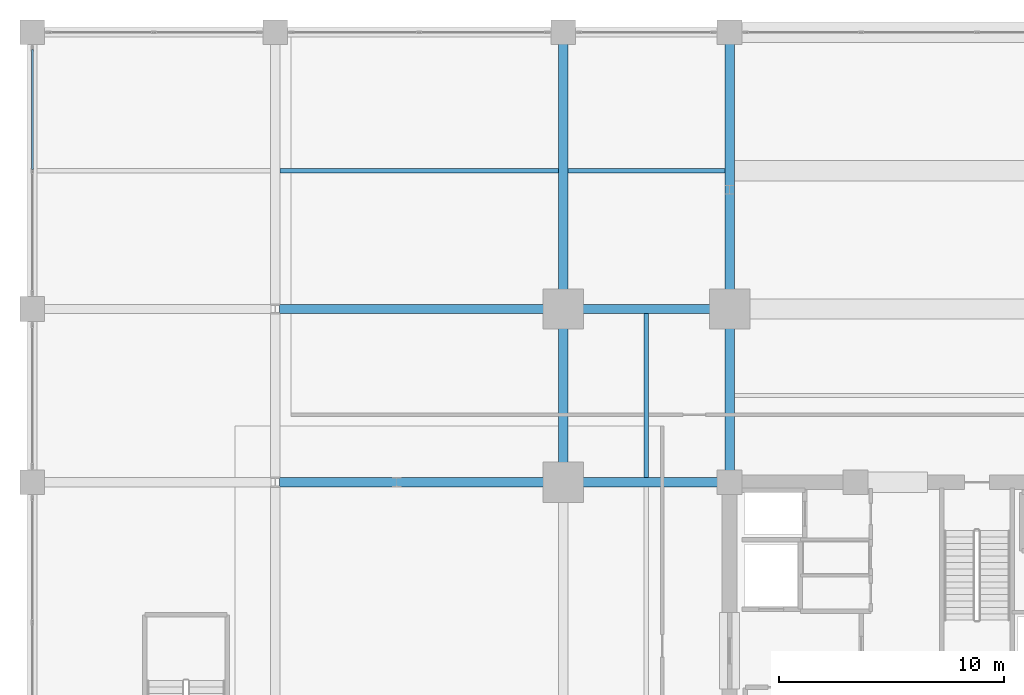
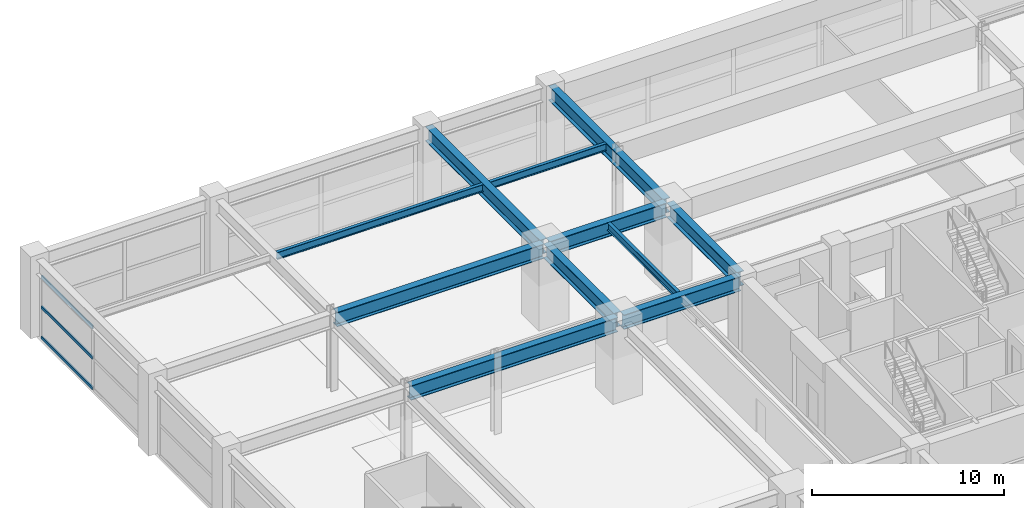
# One storey, part 15 of 43: 11 beams, 3 members, 1 element without a shape of its own.
"""IFC4 building model written with IfcOpenShell, lengths in metres."""

from ifc_helpers import new_model, si_unit, direction, frame, origin, origin_2d, place, context, subcontext, project, spatial, hollow_rectangle, i_section, extrude, material, material_profile, profile_set, type_object, element, aggregate, save


model = new_model("IFC4")

# Units and contexts
model_context = context("Model", 3, precision=1e-05, world=origin(), true_north=direction((0.0, 1.0)))
body_context = subcontext(model_context, "Body", "Model", "MODEL_VIEW")
ifc_project = project(units=[si_unit("LENGTHUNIT", "METRE"), si_unit("AREAUNIT", "SQUARE_METRE"), si_unit("VOLUMEUNIT", "CUBIC_METRE"), si_unit("PLANEANGLEUNIT", "RADIAN"), si_unit("MASSUNIT", "GRAM", prefix="KILO")], contexts=[model_context])

# Site, building, storey
site_placement = place(None, origin())
site = spatial("IfcSite", under=ifc_project, at=site_placement, CompositionType="ELEMENT")
building_placement = place(site_placement, origin())
building = spatial("IfcBuilding", under=site, at=building_placement, Name="Kovane Verandah Tower", CompositionType="ELEMENT")
storey_placement = place(building_placement, frame((0.0, 0.0, 11.199951171875)))
storey = spatial("IfcBuildingStorey", under=building, at=storey_placement, Name="L02", CompositionType="ELEMENT", Elevation=11.199951171875)

# Beams
ifc_material_1 = material(Name="Steel S460", Category="steel")
ifc_material_profile_1 = material_profile(ifc_material_1, i_section(OverallWidth=0.42041015625, OverallDepth=0.9208984375, WebThickness=0.021484375, FlangeThickness=0.03662109375, FilletRadius=0.024169921875, at=origin_2d()), Name="UB914x419x388")
ifc_profile_set_1 = profile_set([ifc_material_profile_1], Name="Steel S460")
beam_type_1 = type_object("IfcBeamType", Name="BM-UB914x388", PredefinedType="BEAM", material=ifc_profile_set_1)
beam_1_placement = place(storey_placement, frame((21.780029296875, 44.199951171875, 4.45947265625), z_axis=(1.0, 0.0, 0.0), x_axis=(0.0, 1.0, 0.0)))
element("IfcBeam", 1, at=beam_1_placement, inside=storey, type_object=beam_type_1, Name="L02 Primary Tower Girder G-RN1", PredefinedType="BEAM", context=body_context, shape_type="SweptSolid", body=[
    extrude(i_section(OverallWidth=0.42041015625, OverallDepth=0.9208984375, WebThickness=0.021484375, FlangeThickness=0.03662109375, FilletRadius=0.024169921875, at=origin_2d()), origin(), (0.0, 0.0, 1.0), 7.0400390625),
])
beam_2_placement = place(storey_placement, frame((21.60009765625, 36.679931640625, 4.45947265625), z_axis=(0.0, 1.0, 0.0), x_axis=(-1.0, 0.0, 0.0)))
element("IfcBeam", 2, at=beam_2_placement, inside=storey, type_object=beam_type_1, Name="L02 Primary Tower Girder G-RW3", PredefinedType="BEAM", context=body_context, shape_type="SweptSolid", body=[
    extrude(i_section(OverallWidth=0.42041015625, OverallDepth=0.9208984375, WebThickness=0.021484375, FlangeThickness=0.03662109375, FilletRadius=0.024169921875, at=origin_2d()), origin(), (0.0, 0.0, 1.0), 7.340087890625),
])
beam_3_placement = place(storey_placement, frame((28.820068359375, 36.5, 4.45947265625), z_axis=(-1.0, 0.0, 0.0), x_axis=(0.0, -1.0, 0.0)))
element("IfcBeam", 3, at=beam_3_placement, inside=storey, type_object=beam_type_1, Name="L02 Primary Tower Girder G-W2", PredefinedType="BEAM", context=body_context, shape_type="SweptSolid", body=[
    extrude(i_section(OverallWidth=0.42041015625, OverallDepth=0.9208984375, WebThickness=0.021484375, FlangeThickness=0.03662109375, FilletRadius=0.024169921875, at=origin_2d()), origin(), (0.0, 0.0, 1.0), 7.0400390625),
])
beam_4_placement = place(storey_placement, frame((29.0, 36.679931640625, 4.45947265625), z_axis=(0.0, 1.0, 0.0), x_axis=(-1.0, 0.0, 0.0)))
element("IfcBeam", 4, at=beam_4_placement, inside=storey, type_object=beam_type_1, Name="L02 Primary Tower Girder G-N1", PredefinedType="BEAM", context=body_context, shape_type="SweptSolid", body=[
    extrude(i_section(OverallWidth=0.42041015625, OverallDepth=0.9208984375, WebThickness=0.021484375, FlangeThickness=0.03662109375, FilletRadius=0.024169921875, at=origin_2d()), origin(), (0.0, 0.0, 1.0), 7.340087890625),
])
for number, where, z_axis, x_axis, name in (
    (5, (8.97998046875, 36.5, 4.439453125), (1.0, 0.0, 0.0), (0.0, 1.0, 0.0), "L02 Podium Grid Girder X10"),
    (6, (8.97998046875, 44.199951171875, 4.439453125), (1.0, 0.0, 0.0), (0.0, 1.0, 0.0), "L02 Podium Grid Girder X14"),
):
    element("IfcBeam", number, at=place(storey_placement, frame(where, z_axis=z_axis, x_axis=x_axis)), inside=storey, type_object=beam_type_1, Name=name, PredefinedType="BEAM", context=body_context, shape_type="SweptSolid", body=[
        extrude(i_section(OverallWidth=0.42041015625, OverallDepth=0.9208984375, WebThickness=0.021484375, FlangeThickness=0.03662109375, FilletRadius=0.024169921875, at=origin_2d()), origin(), (0.0, 0.0, 1.0), 12.43994140625),
    ])
for number, where, z_axis, x_axis, name in (
    (7, (21.60009765625, 44.3798828125, 4.439453125), (0.0, 1.0, 0.0), (-1.0, 0.0, 0.0), "L02 Podium Grid Girder Y32"),
    (8, (29.0, 44.3798828125, 4.439453125), (0.0, 1.0, 0.0), (-1.0, 0.0, 0.0), "L02 Podium Grid Girder Y33"),
):
    element("IfcBeam", number, at=place(storey_placement, frame(where, z_axis=z_axis, x_axis=x_axis)), inside=storey, type_object=beam_type_1, Name=name, PredefinedType="BEAM", context=body_context, shape_type="SweptSolid", body=[
        extrude(i_section(OverallWidth=0.42041015625, OverallDepth=0.9208984375, WebThickness=0.021484375, FlangeThickness=0.03662109375, FilletRadius=0.024169921875, at=origin_2d()), origin(), (0.0, 0.0, 1.0), 11.940185546875),
    ])

# Curtain wall, members
ifc_material_2 = material(Name="Champagne Anodised Aluminium Frame with Low-E Clear Laminated Glass", Category="aluminium")
curtain_wall_type = type_object("IfcCurtainWallType", Name="CW-SYS-01-POD", PredefinedType="NOTDEFINED", material=ifc_material_2)
curtain_wall_placement = place(storey_placement, origin())
curtain_wall = element("IfcCurtainWall", 9, at=curtain_wall_placement, inside=storey, type_object=curtain_wall_type, Name="L02 West Podium Curtain Wall Bay 5", PredefinedType="NOTDEFINED")
ifc_material_3 = material(Name="Champagne Anodised Aluminium 6063-T6", Category="aluminium")
ifc_material_profile_2 = material_profile(ifc_material_3, hollow_rectangle(XDim=0.0849609375, YDim=0.18994140625, WallThickness=0.00390625, at=origin_2d()), Name="AL85x190x4")
ifc_profile_set_2 = profile_set([ifc_material_profile_2], Name="Champagne Anodised Aluminium 6063-T6")
member_type = type_object("IfcMemberType", Name="CW-TRN-85x190", PredefinedType="USERDEFINED", material=ifc_profile_set_2)
member_1_placement = place(storey_placement, frame((-2.0, 55.72998046875, 0.050048828125), z_axis=(0.0, -1.0, 0.0), x_axis=(1.0, 0.0, 0.0)))
member_1 = element("IfcMember", 10, at=member_1_placement, type_object=member_type, Name="L02 West Podium Curtain Wall Bay 5 Transom TB Bay 1", ObjectType="TRANSOM", PredefinedType="USERDEFINED", context=body_context, shape_type="SweptSolid", body=[
    extrude(hollow_rectangle(XDim=0.0849609375, YDim=0.18994140625, WallThickness=0.00390625, at=origin_2d()), origin(), (0.0, 0.0, 1.0), 5.330078125),
])
member_2_placement = place(storey_placement, frame((-2.0, 55.72998046875, 1.9794921875), z_axis=(0.0, -1.0, 0.0), x_axis=(1.0, 0.0, 0.0)))
member_2 = element("IfcMember", 11, at=member_2_placement, type_object=member_type, Name="L02 West Podium Curtain Wall Bay 5 Transom TM Bay 1", ObjectType="TRANSOM", PredefinedType="USERDEFINED", context=body_context, shape_type="SweptSolid", body=[
    extrude(hollow_rectangle(XDim=0.0849609375, YDim=0.18994140625, WallThickness=0.00390625, at=origin_2d()), origin(), (0.0, 0.0, 1.0), 5.330078125),
])
member_3_placement = place(storey_placement, frame((-2.0, 55.72998046875, 3.908935546875), z_axis=(0.0, -1.0, 0.0), x_axis=(1.0, 0.0, 0.0)))
member_3 = element("IfcMember", 12, at=member_3_placement, type_object=member_type, Name="L02 West Podium Curtain Wall Bay 5 Transom TT Bay 1", ObjectType="TRANSOM", PredefinedType="USERDEFINED", context=body_context, shape_type="SweptSolid", body=[
    extrude(hollow_rectangle(XDim=0.0849609375, YDim=0.18994140625, WallThickness=0.00390625, at=origin_2d()), origin(), (0.0, 0.0, 1.0), 5.330078125),
])
aggregate(curtain_wall, [member_1, member_2, member_3])

# Beams
ifc_material_4 = material(Name="Steel S355", Category="steel")
ifc_material_profile_3 = material_profile(ifc_material_4, i_section(OverallWidth=0.19287109375, OverallDepth=0.46728515625, WebThickness=0.011474609375, FlangeThickness=0.01953125, FilletRadius=0.01025390625, at=origin_2d()), Name="UB457x191x98")
ifc_profile_set_3 = profile_set([ifc_material_profile_3], Name="Steel S355")
beam_type_2 = type_object("IfcBeamType", Name="JST-UB457x98", PredefinedType="JOIST", material=ifc_profile_set_3)
beam_5_placement = place(storey_placement, frame((25.300048828125, 36.708251953125, 4.6865234375), z_axis=(0.0, 1.0, 0.0), x_axis=(-1.0, 0.0, 0.0)))
element("IfcBeam", 13, at=beam_5_placement, inside=storey, type_object=beam_type_2, Name="L02 Secondary Composite Joist J-NW1", PredefinedType="JOIST", context=body_context, shape_type="SweptSolid", body=[
    extrude(i_section(OverallWidth=0.19287109375, OverallDepth=0.46728515625, WebThickness=0.011474609375, FlangeThickness=0.01953125, FilletRadius=0.01025390625, at=origin_2d()), origin(), (0.0, 0.0, 1.0), 7.283447265625),
])
beam_6_placement = place(storey_placement, frame((9.00830078125, 50.35009765625, 4.66650390625), z_axis=(1.0, 0.0, 0.0), x_axis=(0.0, 1.0, 0.0)))
element("IfcBeam", 14, at=beam_6_placement, inside=storey, type_object=beam_type_2, Name="L02 Podium Secondary Joist 02", PredefinedType="JOIST", context=body_context, shape_type="SweptSolid", body=[
    extrude(i_section(OverallWidth=0.19287109375, OverallDepth=0.46728515625, WebThickness=0.011474609375, FlangeThickness=0.01953125, FilletRadius=0.01025390625, at=origin_2d()), origin(), (0.0, 0.0, 1.0), 12.383544921875),
])
beam_7_placement = place(storey_placement, frame((21.80810546875, 50.35009765625, 4.66650390625), z_axis=(1.0, 0.0, 0.0), x_axis=(0.0, 1.0, 0.0)))
element("IfcBeam", 15, at=beam_7_placement, inside=storey, type_object=beam_type_2, Name="L02 Podium Secondary Joist 03", PredefinedType="JOIST", context=body_context, shape_type="SweptSolid", body=[
    extrude(i_section(OverallWidth=0.19287109375, OverallDepth=0.46728515625, WebThickness=0.011474609375, FlangeThickness=0.01953125, FilletRadius=0.01025390625, at=origin_2d()), origin(), (0.0, 0.0, 1.0), 6.983642578125),
])

save(model, "model.ifc")
